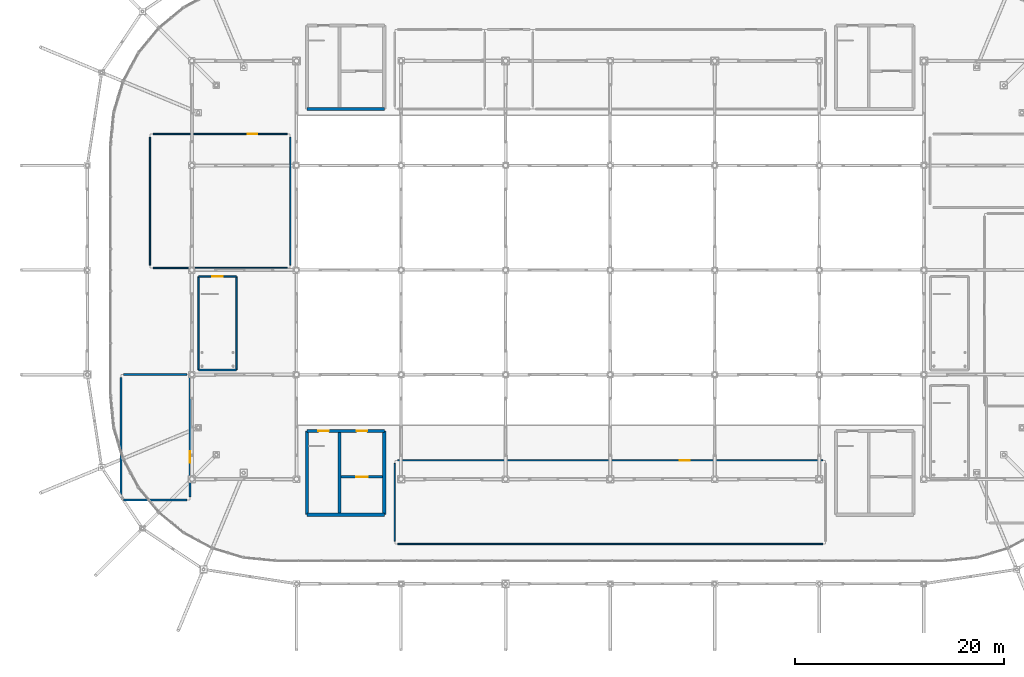
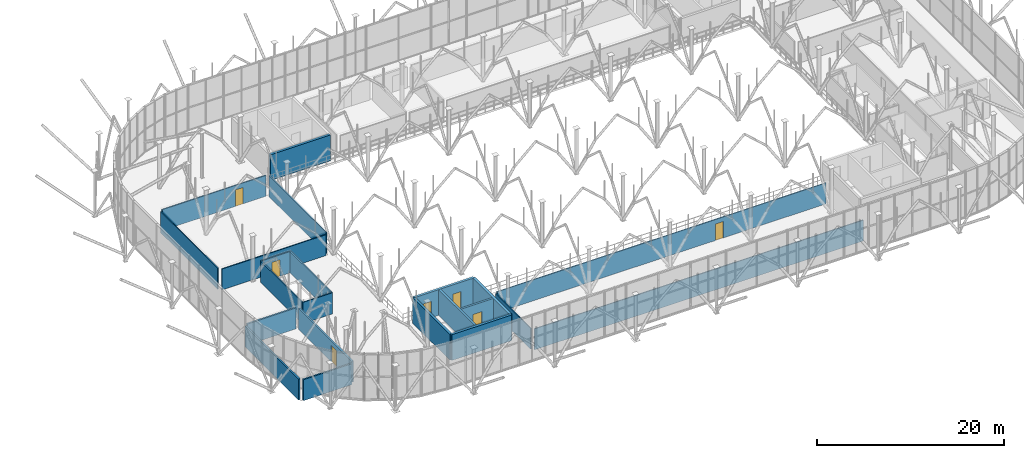
# One storey, part 96 of 109: 22 walls, 7 doors, 7 openings.
"""IFC4 building model written with IfcOpenShell, lengths in metres."""

from ifc_helpers import new_model, si_unit, derived_unit, direction, frame, frame_2d, origin, place, context, subcontext, project, spatial, rectangle, extrude, material, layer, layer_set, type_object, element, fill, save


model = new_model("IFC4")

# Units and contexts
model_context = context("Model", 3, precision=1e-05, world=origin(), true_north=direction((0.0, 1.0)))
body_context = subcontext(model_context, "Body", "Model", "MODEL_VIEW")
ifc_project = project(units=[si_unit("LENGTHUNIT", "METRE"), si_unit("AREAUNIT", "SQUARE_METRE"), si_unit("VOLUMEUNIT", "CUBIC_METRE"), si_unit("PLANEANGLEUNIT", "RADIAN"), si_unit("MASSUNIT", "GRAM", prefix="KILO"), derived_unit("THERMALTRANSMITTANCEUNIT", [(si_unit("POWERUNIT", "WATT"), 1), (si_unit("LENGTHUNIT", "METRE"), -2), (si_unit("THERMODYNAMICTEMPERATUREUNIT", "KELVIN"), -1)])], contexts=[model_context])

# Site, building, storey
site_placement = place(None, origin())
site = spatial("IfcSite", under=ifc_project, at=site_placement, CompositionType="ELEMENT")
building_placement = place(site_placement, origin())
building = spatial("IfcBuilding", under=site, at=building_placement, Name="Cinnabar Yard Market Hall", CompositionType="ELEMENT")
storey_placement = place(building_placement, frame((0.0, 0.0, 8.39990234375)))
storey = spatial("IfcBuildingStorey", under=building, at=storey_placement, Name="L02", CompositionType="ELEMENT", Elevation=8.39990234375)

# Wall
ifc_material_1 = material(Name="Acoustic steel-stud plasterboard", Category="steel")
ifc_layer_1 = layer(ifc_material_1, 0.1201171875)
ifc_layer_set_1 = layer_set([ifc_layer_1], Name="Acoustic steel-stud plasterboard")
wall_type_1 = type_object("IfcWallType", Name="WL-PT120", PredefinedType="PARTITIONING", material=ifc_layer_set_1)
wall_1_placement = place(storey_placement, frame((95.679931640625, 17.800048828125, 0.0), z_axis=(0.0, 0.0, 1.0), x_axis=(1.0, 0.0, 0.0)))
element("IfcWall", 1, at=wall_1_placement, inside=storey, type_object=wall_type_1, Name="Partition Upper Balcony South Culinary Promenade south", PredefinedType="PARTITIONING", context=body_context, shape_type="SweptSolid", body=[
    extrude(rectangle(XDim=40.64013671875, YDim=0.1201171875, at=frame_2d((20.320068359375, 0.0), x_axis=(1.0, 0.0))), origin(), (0.0, 0.0, 1.0), 2.739990234375),
])

# Wall, opening, door
wall_2_placement = place(storey_placement, frame((136.320068359375, 25.800048828125, 0.0), z_axis=(0.0, 0.0, 1.0), x_axis=(-1.0, 0.0, 0.0)))
wall_2 = element("IfcWall", 2, at=wall_2_placement, inside=storey, type_object=wall_type_1, Name="Partition Upper Balcony South Culinary Promenade north", PredefinedType="PARTITIONING", context=body_context, shape_type="SweptSolid", body=[
    extrude(rectangle(XDim=40.64013671875, YDim=0.1201171875, at=frame_2d((20.320068359375, 0.0), x_axis=(1.0, 0.0))), origin(), (0.0, 0.0, 1.0), 2.739990234375),
])
opening_1_placement = place(wall_2_placement, frame((12.70068359375, 0.0, 0.0)))
opening_1 = element("IfcOpeningElement", 3, at=opening_1_placement, cuts=wall_2, Name="Opening ID-160", PredefinedType="OPENING", context=body_context, shape_type="SweptSolid", body=[
    extrude(rectangle(XDim=0.949951171875, YDim=2.14990234375, at=frame_2d((0.47509765625, 1.074951171875), x_axis=(1.0, 0.0))), frame((0.0, 0.070068359375, 0.0), z_axis=(0.0, -1.0, 0.0), x_axis=(1.0, 0.0, 0.0)), (0.0, 0.0, 1.0), 0.14013671875),
])
ifc_material_2 = material(Name="Solid-core spotted gum timber", Category="wood")
door_type_1 = type_object("IfcDoorType", Name="DR-D06", OperationType="NOTDEFINED", PredefinedType="DOOR", material=ifc_material_2)
door_1_placement = place(opening_1_placement, origin())
door_1 = element("IfcDoor", 4, at=door_1_placement, inside=storey, type_object=door_type_1, Name="Interior Door ID-160", OperationType="SINGLE_SWING_LEFT", OverallHeight=2.14990234375, OverallWidth=0.949951171875, PredefinedType="DOOR", context=body_context, shape_type="SweptSolid", body=[
    extrude(rectangle(XDim=0.949951171875, YDim=2.14990234375, at=frame_2d((0.47509765625, 1.074951171875), x_axis=(1.0, 0.0))), frame((0.0, 0.02490234375, 0.0), z_axis=(0.0, -1.0, 0.0), x_axis=(1.0, 0.0, 0.0)), (0.0, 0.0, 1.0), 0.050048828125),
])
fill(opening_1, door_1)

# Walls
wall_3_placement = place(storey_placement, frame((95.39990234375, 25.52001953125, 0.0), z_axis=(0.0, 0.0, 1.0), x_axis=(0.0, -1.0, 0.0)))
element("IfcWall", 5, at=wall_3_placement, inside=storey, type_object=wall_type_1, Name="Partition Upper Balcony South Culinary Promenade west", PredefinedType="PARTITIONING", context=body_context, shape_type="SweptSolid", body=[
    extrude(rectangle(XDim=7.43994140625, YDim=0.1201171875, at=frame_2d((3.719970703125, 0.0), x_axis=(1.0, 0.0))), origin(), (0.0, 0.0, 1.0), 2.739990234375),
])
wall_4_placement = place(storey_placement, frame((72.280029296875, 44.199951171875, 0.0), z_axis=(0.0, 0.0, 1.0), x_axis=(1.0, 0.0, 0.0)))
element("IfcWall", 6, at=wall_4_placement, inside=storey, type_object=wall_type_1, Name="Partition Upper West Mughal Dining Pavilion south", PredefinedType="PARTITIONING", context=body_context, shape_type="SweptSolid", body=[
    extrude(rectangle(XDim=12.840087890625, YDim=0.1201171875, at=frame_2d((6.419921875, 0.0), x_axis=(1.0, 0.0))), origin(), (0.0, 0.0, 1.0), 2.739990234375),
])
wall_5_placement = place(storey_placement, frame((85.39990234375, 44.47998046875, 0.0), z_axis=(0.0, 0.0, 1.0), x_axis=(0.0, 1.0, 0.0)))
element("IfcWall", 7, at=wall_5_placement, inside=storey, type_object=wall_type_1, Name="Partition Upper West Mughal Dining Pavilion east", PredefinedType="PARTITIONING", context=body_context, shape_type="SweptSolid", body=[
    extrude(rectangle(XDim=12.239990234375, YDim=0.1201171875, at=frame_2d((6.1201171875, 0.0), x_axis=(1.0, 0.0))), origin(), (0.0, 0.0, 1.0), 2.739990234375),
])

# Wall, opening, door
wall_6_placement = place(storey_placement, frame((85.1201171875, 57.0, 0.0), z_axis=(0.0, 0.0, 1.0), x_axis=(-1.0, 0.0, 0.0)))
wall_6 = element("IfcWall", 8, at=wall_6_placement, inside=storey, type_object=wall_type_1, Name="Partition Upper West Mughal Dining Pavilion north", PredefinedType="PARTITIONING", context=body_context, shape_type="SweptSolid", body=[
    extrude(rectangle(XDim=12.840087890625, YDim=0.1201171875, at=frame_2d((6.419921875, 0.0), x_axis=(1.0, 0.0))), origin(), (0.0, 0.0, 1.0), 2.739990234375),
])
opening_2_placement = place(wall_6_placement, frame((2.86083984375, 0.0, 0.0)))
opening_2 = element("IfcOpeningElement", 9, at=opening_2_placement, cuts=wall_6, Name="Opening ID-163", PredefinedType="OPENING", context=body_context, shape_type="SweptSolid", body=[
    extrude(rectangle(XDim=0.919921875, YDim=2.14990234375, at=frame_2d((0.4599609375, 1.074951171875), x_axis=(1.0, 0.0))), frame((0.0, 0.070068359375, 0.0), z_axis=(0.0, -1.0, 0.0), x_axis=(1.0, 0.0, 0.0)), (0.0, 0.0, 1.0), 0.14013671875),
])
door_type_2 = type_object("IfcDoorType", Name="DR-D07", OperationType="NOTDEFINED", PredefinedType="DOOR", material=ifc_material_2)
door_2_placement = place(opening_2_placement, origin())
door_2 = element("IfcDoor", 10, at=door_2_placement, inside=storey, type_object=door_type_2, Name="Interior Door ID-163", OperationType="SINGLE_SWING_RIGHT", OverallHeight=2.14990234375, OverallWidth=0.919921875, PredefinedType="DOOR", context=body_context, shape_type="SweptSolid", body=[
    extrude(rectangle(XDim=0.919921875, YDim=2.14990234375, at=frame_2d((0.4599609375, 1.074951171875), x_axis=(1.0, 0.0))), frame((0.0, 0.02490234375, 0.0), z_axis=(0.0, -1.0, 0.0), x_axis=(1.0, 0.0, 0.0)), (0.0, 0.0, 1.0), 0.050048828125),
])
fill(opening_2, door_2)

# Walls
wall_7_placement = place(storey_placement, frame((72.0, 56.719970703125, 0.0), z_axis=(0.0, 0.0, 1.0), x_axis=(0.0, -1.0, 0.0)))
element("IfcWall", 11, at=wall_7_placement, inside=storey, type_object=wall_type_1, Name="Partition Upper West Mughal Dining Pavilion west", PredefinedType="PARTITIONING", context=body_context, shape_type="SweptSolid", body=[
    extrude(rectangle(XDim=12.239990234375, YDim=0.1201171875, at=frame_2d((6.1201171875, 0.0), x_axis=(1.0, 0.0))), origin(), (0.0, 0.0, 1.0), 2.739990234375),
])
ifc_material_3 = material(Name="Fire-rated steel-stud plasterboard", Category="steel")
ifc_layer_2 = layer(ifc_material_3, 0.14990234375)
ifc_layer_set_2 = layer_set([ifc_layer_2], Name="Fire-rated steel-stud plasterboard")
wall_type_2 = type_object("IfcWallType", Name="WL-PT150", PredefinedType="PARTITIONING", material=ifc_layer_set_2)
for number, where, z_axis, x_axis, name in (
    (12, (76.639892578125, 43.360107421875, 0.0), (0.0, 0.0, 1.0), (0.0, -1.0, 0.0), "Stair ST-F1 Shaft Wall W L02"),
    (13, (80.260009765625, 34.43994140625, 0.0), (0.0, 0.0, 1.0), (0.0, 1.0, 0.0), "Stair ST-F1 Shaft Wall E L02"),
):
    element("IfcWall", number, at=place(storey_placement, frame(where, z_axis=z_axis, x_axis=x_axis)), inside=storey, type_object=wall_type_2, Name=name, PredefinedType="PARTITIONING", context=body_context, shape_type="SweptSolid", body=[
        extrude(rectangle(XDim=8.920166015625, YDim=0.14990234375, at=frame_2d((4.4599609375, 0.0), x_axis=(1.0, 0.0))), origin(), (0.0, 0.0, 1.0), 2.780029296875),
    ])
wall_8_placement = place(storey_placement, frame((76.639892578125, 34.43994140625, 0.0), z_axis=(0.0, 0.0, 1.0), x_axis=(1.0, 0.0, 0.0)))
element("IfcWall", 14, at=wall_8_placement, inside=storey, type_object=wall_type_2, Name="Stair ST-F1 Shaft Wall S L02", PredefinedType="PARTITIONING", context=body_context, shape_type="SweptSolid", body=[
    extrude(rectangle(XDim=3.6201171875, YDim=0.14990234375, at=frame_2d((1.81005859375, 0.0), x_axis=(1.0, 0.0))), origin(), (0.0, 0.0, 1.0), 2.780029296875),
])

# Wall, opening, door
wall_9_placement = place(storey_placement, frame((80.260009765625, 43.360107421875, 0.0), z_axis=(0.0, 0.0, 1.0), x_axis=(-1.0, 0.0, 0.0)))
wall_9 = element("IfcWall", 15, at=wall_9_placement, inside=storey, type_object=wall_type_2, Name="Stair ST-F1 Shaft Wall N L02", PredefinedType="PARTITIONING", context=body_context, shape_type="SweptSolid", body=[
    extrude(rectangle(XDim=3.6201171875, YDim=0.14990234375, at=frame_2d((1.81005859375, 0.0), x_axis=(1.0, 0.0))), origin(), (0.0, 0.0, 1.0), 2.780029296875),
])
opening_3_placement = place(wall_9_placement, frame((1.31005859375, 0.0, 0.0)))
opening_3 = element("IfcOpeningElement", 16, at=opening_3_placement, cuts=wall_9, Name="Opening CD-067", PredefinedType="OPENING", context=body_context, shape_type="SweptSolid", body=[
    extrude(rectangle(XDim=1.0, YDim=2.14990234375, at=frame_2d((0.5, 1.074951171875), x_axis=(1.0, 0.0))), frame((0.0, 0.0849609375, 0.0), z_axis=(0.0, -1.0, 0.0), x_axis=(1.0, 0.0, 0.0)), (0.0, 0.0, 1.0), 0.169921875),
])
door_type_3 = type_object("IfcDoorType", Name="DR-D05", OperationType="NOTDEFINED", PredefinedType="DOOR", material=ifc_material_2)
door_3_placement = place(opening_3_placement, origin())
door_3 = element("IfcDoor", 17, at=door_3_placement, inside=storey, type_object=door_type_3, Name="Stair Door CD-067", OperationType="SINGLE_SWING_LEFT", OverallHeight=2.14990234375, OverallWidth=1.0, PredefinedType="DOOR", context=body_context, shape_type="SweptSolid", body=[
    extrude(rectangle(XDim=1.0, YDim=2.14990234375, at=frame_2d((0.5, 1.074951171875), x_axis=(1.0, 0.0))), frame((0.0, 0.02490234375, 0.0), z_axis=(0.0, -1.0, 0.0), x_axis=(1.0, 0.0, 0.0)), (0.0, 0.0, 1.0), 0.050048828125),
])
fill(opening_3, door_3)

# Wall
ifc_material_4 = material(Name="Demountable timber-framed stall partition", Category="wood")
ifc_layer_3 = layer(ifc_material_4, 0.199951171875)
ifc_layer_set_3 = layer_set([ifc_layer_3], Name="Demountable timber-framed stall partition")
wall_type_3 = type_object("IfcWallType", Name="WL-PT200", PredefinedType="MOVABLE", material=ifc_layer_set_3)
wall_10_placement = place(storey_placement, frame((69.47998046875, 22.0, 0.0), z_axis=(0.0, 0.0, 1.0), x_axis=(1.0, 0.0, 0.0)))
element("IfcWall", 18, at=wall_10_placement, inside=storey, type_object=wall_type_3, Name="Partition Upper West Artisan Tasting Gallery south", PredefinedType="MOVABLE", context=body_context, shape_type="SweptSolid", body=[
    extrude(rectangle(XDim=6.0400390625, YDim=0.199951171875, at=frame_2d((3.02001953125, 0.0), x_axis=(1.0, 0.0))), origin(), (0.0, 0.0, 1.0), 2.739990234375),
])

# Wall, opening, door
wall_11_placement = place(storey_placement, frame((75.800048828125, 22.280029296875, 0.0), z_axis=(0.0, 0.0, 1.0), x_axis=(0.0, 1.0, 0.0)))
wall_11 = element("IfcWall", 19, at=wall_11_placement, inside=storey, type_object=wall_type_3, Name="Partition Upper West Artisan Tasting Gallery east", PredefinedType="MOVABLE", context=body_context, shape_type="SweptSolid", body=[
    extrude(rectangle(XDim=11.43994140625, YDim=0.199951171875, at=frame_2d((5.719970703125, 0.0), x_axis=(1.0, 0.0))), origin(), (0.0, 0.0, 1.0), 2.739990234375),
])
opening_4_placement = place(wall_11_placement, frame((3.308837890625, 0.0, 0.0)))
opening_4 = element("IfcOpeningElement", 20, at=opening_4_placement, cuts=wall_11, Name="Opening ID-166", PredefinedType="OPENING", context=body_context, shape_type="SweptSolid", body=[
    extrude(rectangle(XDim=1.10009765625, YDim=2.14990234375, at=frame_2d((0.550048828125, 1.074951171875), x_axis=(1.0, 0.0))), frame((0.0, 0.10986328125, 0.0), z_axis=(0.0, -1.0, 0.0), x_axis=(1.0, 0.0, 0.0)), (0.0, 0.0, 1.0), 0.219970703125),
])
ifc_material_5 = material(Name="Anodised aluminium and acoustic glass", Category="aluminium")
door_type_4 = type_object("IfcDoorType", Name="DR-D09", OperationType="NOTDEFINED", PredefinedType="DOOR", material=ifc_material_5)
door_4_placement = place(opening_4_placement, origin())
door_4 = element("IfcDoor", 21, at=door_4_placement, inside=storey, type_object=door_type_4, Name="Interior Door ID-166", OperationType="SLIDING_TO_LEFT", OverallHeight=2.14990234375, OverallWidth=1.10009765625, PredefinedType="DOOR", context=body_context, shape_type="SweptSolid", body=[
    extrude(rectangle(XDim=1.10009765625, YDim=2.14990234375, at=frame_2d((0.550048828125, 1.074951171875), x_axis=(1.0, 0.0))), frame((0.0, 0.02490234375, 0.0), z_axis=(0.0, -1.0, 0.0), x_axis=(1.0, 0.0, 0.0)), (0.0, 0.0, 1.0), 0.050048828125),
])
fill(opening_4, door_4)

# Walls
wall_12_placement = place(storey_placement, frame((75.52001953125, 34.0, 0.0), z_axis=(0.0, 0.0, 1.0), x_axis=(-1.0, 0.0, 0.0)))
element("IfcWall", 22, at=wall_12_placement, inside=storey, type_object=wall_type_3, Name="Partition Upper West Artisan Tasting Gallery north", PredefinedType="MOVABLE", context=body_context, shape_type="SweptSolid", body=[
    extrude(rectangle(XDim=6.0400390625, YDim=0.199951171875, at=frame_2d((3.02001953125, 0.0), x_axis=(1.0, 0.0))), origin(), (0.0, 0.0, 1.0), 2.739990234375),
])
wall_13_placement = place(storey_placement, frame((69.199951171875, 33.719970703125, 0.0), z_axis=(0.0, 0.0, 1.0), x_axis=(0.0, -1.0, 0.0)))
element("IfcWall", 23, at=wall_13_placement, inside=storey, type_object=wall_type_3, Name="Partition Upper West Artisan Tasting Gallery west", PredefinedType="MOVABLE", context=body_context, shape_type="SweptSolid", body=[
    extrude(rectangle(XDim=11.43994140625, YDim=0.199951171875, at=frame_2d((5.719970703125, 0.0), x_axis=(1.0, 0.0))), origin(), (0.0, 0.0, 1.0), 2.739990234375),
])
ifc_material_6 = material(Name="Concrete 40 MPa", Category="concrete")
ifc_layer_4 = layer(ifc_material_6, 0.300048828125)
ifc_layer_set_4 = layer_set([ifc_layer_4], Name="Concrete 40 MPa")
wall_type_4 = type_object("IfcWallType", Name="WL-W-CORE", PredefinedType="SHEAR", material=ifc_layer_set_4)
for number, where, z_axis, x_axis, name in (
    (24, (87.0, 28.60009765625, 0.0), (0.0, 0.0, 1.0), (0.0, -1.0, 0.0), "Core C1 West Shear Wall L02"),
    (25, (94.39990234375, 20.60009765625, 0.0), (0.0, 0.0, 1.0), (0.0, 1.0, 0.0), "Core C1 East Shear Wall L02"),
):
    element("IfcWall", number, at=place(storey_placement, frame(where, z_axis=z_axis, x_axis=x_axis)), inside=storey, type_object=wall_type_4, Name=name, PredefinedType="SHEAR", context=body_context, shape_type="SweptSolid", body=[
        extrude(rectangle(XDim=8.0, YDim=0.300048828125, at=frame_2d((4.0, 0.0), x_axis=(1.0, 0.0))), origin(), (0.0, 0.0, 1.0), 3.360107421875),
    ])
wall_14_placement = place(storey_placement, frame((87.0, 20.60009765625, 0.0), z_axis=(0.0, 0.0, 1.0), x_axis=(1.0, 0.0, 0.0)))
element("IfcWall", 26, at=wall_14_placement, inside=storey, type_object=wall_type_4, Name="Core C1 South Shear Wall L02", PredefinedType="SHEAR", context=body_context, shape_type="SweptSolid", body=[
    extrude(rectangle(XDim=7.39990234375, YDim=0.300048828125, at=frame_2d((3.699951171875, 0.0), x_axis=(1.0, 0.0))), origin(), (0.0, 0.0, 1.0), 3.360107421875),
])

# Wall, openings, doors
wall_15_placement = place(storey_placement, frame((94.39990234375, 28.60009765625, 0.0), z_axis=(0.0, 0.0, 1.0), x_axis=(-1.0, 0.0, 0.0)))
wall_15 = element("IfcWall", 27, at=wall_15_placement, inside=storey, type_object=wall_type_4, Name="Core C1 North Shear Wall L02", PredefinedType="SHEAR", context=body_context, shape_type="SweptSolid", body=[
    extrude(rectangle(XDim=7.39990234375, YDim=0.300048828125, at=frame_2d((3.699951171875, 0.0), x_axis=(1.0, 0.0))), origin(), (0.0, 0.0, 1.0), 3.360107421875),
])
opening_5_placement = place(wall_15_placement, frame((1.64990234375, 0.0, 0.0)))
opening_5 = element("IfcOpeningElement", 28, at=opening_5_placement, cuts=wall_15, Name="Opening CD-007", PredefinedType="OPENING", context=body_context, shape_type="SweptSolid", body=[
    extrude(rectangle(XDim=1.0, YDim=2.14990234375, at=frame_2d((0.5, 1.074951171875), x_axis=(1.0, 0.0))), frame((0.0, 0.159912109375, 0.0), z_axis=(0.0, -1.0, 0.0), x_axis=(1.0, 0.0, 0.0)), (0.0, 0.0, 1.0), 0.320068359375),
])
opening_6_placement = place(wall_15_placement, frame((5.300048828125, 0.0, 0.0)))
opening_6 = element("IfcOpeningElement", 29, at=opening_6_placement, cuts=wall_15, Name="Opening CD-008", PredefinedType="OPENING", context=body_context, shape_type="SweptSolid", body=[
    extrude(rectangle(XDim=1.0, YDim=2.14990234375, at=frame_2d((0.5, 1.074951171875), x_axis=(1.0, 0.0))), frame((0.0, 0.159912109375, 0.0), z_axis=(0.0, -1.0, 0.0), x_axis=(1.0, 0.0, 0.0)), (0.0, 0.0, 1.0), 0.320068359375),
])
door_5_placement = place(opening_5_placement, origin())
door_5 = element("IfcDoor", 30, at=door_5_placement, inside=storey, type_object=door_type_3, Name="Core Door CD-007", OperationType="SINGLE_SWING_RIGHT", OverallHeight=2.14990234375, OverallWidth=1.0, PredefinedType="DOOR", context=body_context, shape_type="SweptSolid", body=[
    extrude(rectangle(XDim=1.0, YDim=2.14990234375, at=frame_2d((0.5, 1.074951171875), x_axis=(1.0, 0.0))), frame((0.0, 0.02490234375, 0.0), z_axis=(0.0, -1.0, 0.0), x_axis=(1.0, 0.0, 0.0)), (0.0, 0.0, 1.0), 0.050048828125),
])
fill(opening_5, door_5)
door_6_placement = place(opening_6_placement, origin())
door_6 = element("IfcDoor", 31, at=door_6_placement, inside=storey, type_object=door_type_3, Name="Core Door CD-008", OperationType="SINGLE_SWING_LEFT", OverallHeight=2.14990234375, OverallWidth=1.0, PredefinedType="DOOR", context=body_context, shape_type="SweptSolid", body=[
    extrude(rectangle(XDim=1.0, YDim=2.14990234375, at=frame_2d((0.5, 1.074951171875), x_axis=(1.0, 0.0))), frame((0.0, 0.02490234375, 0.0), z_axis=(0.0, -1.0, 0.0), x_axis=(1.0, 0.0, 0.0)), (0.0, 0.0, 1.0), 0.050048828125),
])
fill(opening_6, door_6)

# Walls
wall_16_placement = place(storey_placement, frame((87.0, 59.39990234375, 0.0), z_axis=(0.0, 0.0, 1.0), x_axis=(1.0, 0.0, 0.0)))
element("IfcWall", 32, at=wall_16_placement, inside=storey, type_object=wall_type_4, Name="Core C3 South Shear Wall L02", PredefinedType="SHEAR", context=body_context, shape_type="SweptSolid", body=[
    extrude(rectangle(XDim=7.39990234375, YDim=0.300048828125, at=frame_2d((3.699951171875, 0.0), x_axis=(1.0, 0.0))), origin(), (0.0, 0.0, 1.0), 3.360107421875),
])
ifc_layer_5 = layer(ifc_material_6, 0.25)
ifc_layer_set_5 = layer_set([ifc_layer_5], Name="Concrete 40 MPa")
wall_type_5 = type_object("IfcWallType", Name="WL-W-SHAFT", PredefinedType="SHEAR", material=ifc_layer_set_5)
wall_17_placement = place(storey_placement, frame((90.114990234375, 20.75, 0.0), z_axis=(0.0, 0.0, 1.0), x_axis=(0.0, 1.0, 0.0)))
element("IfcWall", 33, at=wall_17_placement, inside=storey, type_object=wall_type_5, Name="Core C1 Shaft Divider L02", PredefinedType="SHEAR", context=body_context, shape_type="SweptSolid", body=[
    extrude(rectangle(XDim=7.699951171875, YDim=0.25, at=frame_2d((3.85009765625, 0.0), x_axis=(1.0, 0.0))), origin(), (0.0, 0.0, 1.0), 3.360107421875),
])

# Wall, opening, door
wall_18_placement = place(storey_placement, frame((90.280029296875, 24.219970703125, 0.0), z_axis=(0.0, 0.0, 1.0), x_axis=(1.0, 0.0, 0.0)))
wall_18 = element("IfcWall", 34, at=wall_18_placement, inside=storey, type_object=wall_type_5, Name="Core C1 Lift Front Wall L02", PredefinedType="SHEAR", context=body_context, shape_type="SweptSolid", body=[
    extrude(rectangle(XDim=3.969970703125, YDim=0.25, at=frame_2d((1.98486328125, 0.0), x_axis=(1.0, 0.0))), origin(), (0.0, 0.0, 1.0), 3.360107421875),
])
opening_7_placement = place(wall_18_placement, frame((1.43505859375, 0.0, 0.0)))
opening_7 = element("IfcOpeningElement", 35, at=opening_7_placement, cuts=wall_18, Name="Opening LD-LF-01-L02", PredefinedType="OPENING", context=body_context, shape_type="SweptSolid", body=[
    extrude(rectangle(XDim=1.10009765625, YDim=2.14990234375, at=frame_2d((0.550048828125, 1.074951171875), x_axis=(1.0, 0.0))), frame((0.0, 0.135009765625, 0.0), z_axis=(0.0, -1.0, 0.0), x_axis=(1.0, 0.0, 0.0)), (0.0, 0.0, 1.0), 0.27001953125),
])
ifc_material_7 = material(Name="Brushed stainless steel landing door", Category="steel")
door_type_5 = type_object("IfcDoorType", Name="DR-LD01", OperationType="NOTDEFINED", PredefinedType="DOOR", material=ifc_material_7)
door_7_placement = place(opening_7_placement, origin())
door_7 = element("IfcDoor", 36, at=door_7_placement, inside=storey, type_object=door_type_5, Name="Lift Landing Door LD-LF-01-L02", OperationType="SLIDING_TO_LEFT", OverallHeight=2.14990234375, OverallWidth=1.10009765625, PredefinedType="DOOR", context=body_context, shape_type="SweptSolid", body=[
    extrude(rectangle(XDim=1.10009765625, YDim=2.14990234375, at=frame_2d((0.550048828125, 1.074951171875), x_axis=(1.0, 0.0))), frame((0.0, 0.02490234375, 0.0), z_axis=(0.0, -1.0, 0.0), x_axis=(1.0, 0.0, 0.0)), (0.0, 0.0, 1.0), 0.050048828125),
])
fill(opening_7, door_7)

save(model, "model.ifc")
